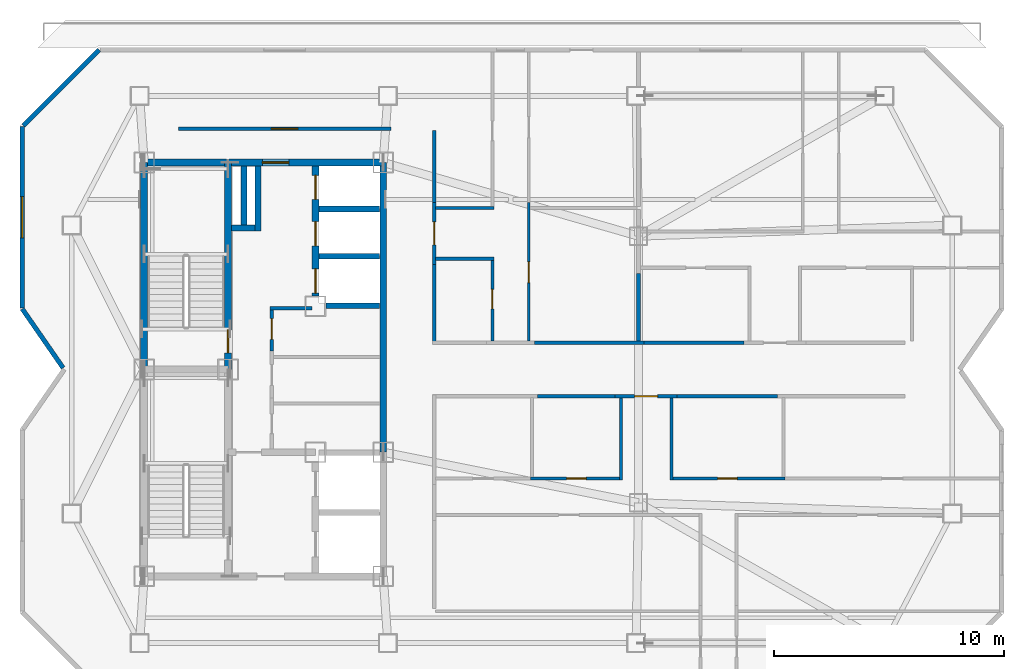
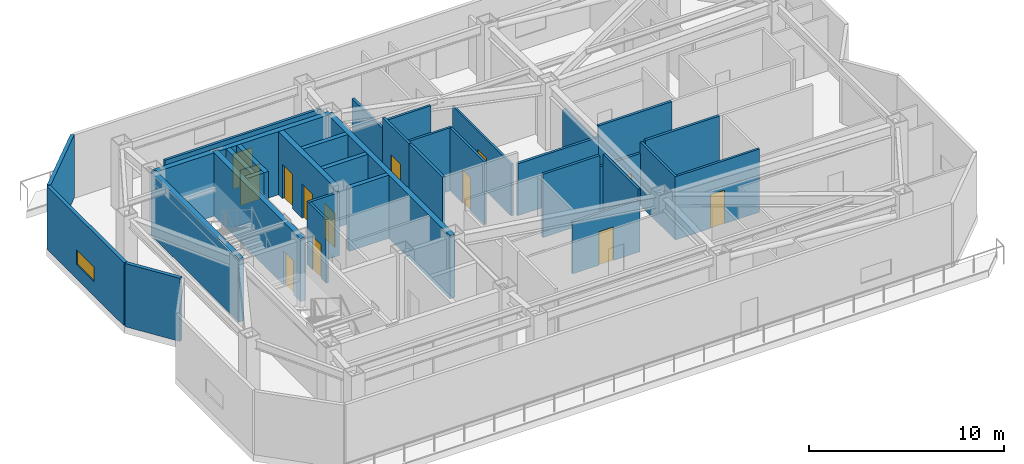
# One storey, part 5 of 11: 34 walls, 13 doors, 1 window, 14 openings.
"""IFC4 building model written with IfcOpenShell, lengths in metres."""

from ifc_helpers import new_model, si_unit, direction, frame, frame_2d, origin, place, context, subcontext, project, spatial, rectangle, extrude, material, layer, layer_set, type_object, element, fill, save


model = new_model("IFC4")

# Units and contexts
model_context = context("Model", 3, precision=1e-05, world=origin(), true_north=direction((0.0, 1.0)))
body_context = subcontext(model_context, "Body", "Model", "MODEL_VIEW")
ifc_project = project(units=[si_unit("LENGTHUNIT", "METRE"), si_unit("AREAUNIT", "SQUARE_METRE"), si_unit("VOLUMEUNIT", "CUBIC_METRE"), si_unit("PLANEANGLEUNIT", "RADIAN"), si_unit("MASSUNIT", "GRAM", prefix="KILO")], contexts=[model_context])

# Site, building, storey
site_placement = place(None, origin())
site = spatial("IfcSite", under=ifc_project, at=site_placement, CompositionType="ELEMENT")
building_placement = place(site_placement, origin())
building = spatial("IfcBuilding", under=site, at=building_placement, Name="Khamvora Tower", CompositionType="ELEMENT")
storey_placement = place(building_placement, frame((0.0, 0.0, 277.85009765625)))
storey = spatial("IfcBuildingStorey", under=building, at=storey_placement, Name="L71", CompositionType="ELEMENT", Elevation=277.85009765625)

# Wall
ifc_material_1 = material(Name="Concrete C50/60", Category="concrete")
ifc_layer_1 = layer(ifc_material_1, 0.300048828125)
ifc_layer_set_1 = layer_set([ifc_layer_1], Name="Concrete C50/60")
wall_type_1 = type_object("IfcWallType", Name="WAL-CORE-300", PredefinedType="SHEAR", material=ifc_layer_set_1)
wall_1_placement = place(storey_placement, frame((29.0, 28.0, 0.0), z_axis=(0.0, 0.0, 1.0), x_axis=(0.0, 1.0, 0.0)))
element("IfcWall", 1, at=wall_1_placement, inside=storey, type_object=wall_type_1, Name="L71 central core west north wall", PredefinedType="SHEAR", context=body_context, shape_type="SweptSolid", body=[
    extrude(rectangle(XDim=9.0, YDim=0.300048828125, at=frame_2d((4.5, 0.0))), origin(), (0.0, 0.0, 1.0), 3.949951171875),
])

# Wall, opening, door
wall_2_placement = place(storey_placement, frame((29.0, 37.0, 0.0), z_axis=(0.0, 0.0, 1.0), x_axis=(1.0, 0.0, 0.0)))
wall_2 = element("IfcWall", 2, at=wall_2_placement, inside=storey, type_object=wall_type_1, Name="L71 central core north wall", PredefinedType="SHEAR", context=body_context, shape_type="SweptSolid", body=[
    extrude(rectangle(XDim=10.39990234375, YDim=0.300048828125, at=frame_2d((5.199951171875, 0.0))), origin(), (0.0, 0.0, 1.0), 3.949951171875),
])
opening_1_placement = place(wall_2_placement, frame((5.139892578125, 0.0, 0.0)))
opening_1 = element("IfcOpeningElement", 3, at=opening_1_placement, cuts=wall_2, Name="Opening D-SC1", PredefinedType="OPENING", context=body_context, shape_type="SweptSolid", body=[
    extrude(rectangle(XDim=1.14990234375, YDim=2.199951171875, at=frame_2d((0.574951171875, 1.10009765625))), frame((0.0, 0.159912109375, 0.0), z_axis=(0.0, -1.0, 0.0), x_axis=(1.0, 0.0, 0.0)), (0.0, 0.0, 1.0), 0.320068359375),
])
ifc_material_2 = material(Name="Powder-Coated Steel and Hardwood Leaf", Category="steel")
door_type_1 = type_object("IfcDoorType", Name="DOR-SCHL-1150", OperationType="NOTDEFINED", PredefinedType="DOOR", material=ifc_material_2)
door_1_placement = place(opening_1_placement, origin())
door_1 = element("IfcDoor", 4, at=door_1_placement, inside=storey, type_object=door_type_1, Name="L71 north core lobby to corridor fire door", OperationType="SINGLE_SWING_LEFT", OverallHeight=2.199951171875, OverallWidth=1.14990234375, PredefinedType="DOOR", context=body_context, shape_type="SweptSolid", body=[
    extrude(rectangle(XDim=1.14990234375, YDim=2.199951171875, at=frame_2d((0.574951171875, 1.10009765625))), frame((0.0, 0.02490234375, 0.0), z_axis=(0.0, -1.0, 0.0), x_axis=(1.0, 0.0, 0.0)), (0.0, 0.0, 1.0), 0.050048828125),
])
fill(opening_1, door_1)

# Wall
wall_3_placement = place(storey_placement, frame((39.39990234375, 24.39990234375, 0.0), z_axis=(0.0, 0.0, 1.0), x_axis=(0.0, 1.0, 0.0)))
element("IfcWall", 5, at=wall_3_placement, inside=storey, type_object=wall_type_1, Name="L71 central core east north wall", PredefinedType="SHEAR", context=body_context, shape_type="SweptSolid", body=[
    extrude(rectangle(XDim=12.60009765625, YDim=0.300048828125, at=frame_2d((6.300048828125, 0.0))), origin(), (0.0, 0.0, 1.0), 3.949951171875),
])

# Wall, opening, door
wall_4_placement = place(storey_placement, frame((32.64990234375, 28.0, 0.0), z_axis=(0.0, 0.0, 1.0), x_axis=(0.0, 1.0, 0.0)))
wall_4 = element("IfcWall", 6, at=wall_4_placement, inside=storey, type_object=wall_type_1, Name="L71 central core stair north spine wall", PredefinedType="SHEAR", context=body_context, shape_type="SweptSolid", body=[
    extrude(rectangle(XDim=9.0, YDim=0.300048828125, at=frame_2d((4.5, 0.0))), origin(), (0.0, 0.0, 1.0), 3.949951171875),
])
opening_2_placement = place(wall_4_placement, frame((0.719970703125, 0.0, 0.0)))
opening_2 = element("IfcOpeningElement", 7, at=opening_2_placement, cuts=wall_4, Name="Opening D-ST1", PredefinedType="OPENING", context=body_context, shape_type="SweptSolid", body=[
    extrude(rectangle(XDim=1.0, YDim=2.14990234375, at=frame_2d((0.5, 1.074951171875))), frame((0.0, 0.159912109375, 0.0), z_axis=(0.0, -1.0, 0.0), x_axis=(1.0, 0.0, 0.0)), (0.0, 0.0, 1.0), 0.320068359375),
])
door_type_2 = type_object("IfcDoorType", Name="DOR-STAIR-1000", OperationType="NOTDEFINED", PredefinedType="DOOR", material=ifc_material_2)
door_2_placement = place(opening_2_placement, origin())
door_2 = element("IfcDoor", 8, at=door_2_placement, inside=storey, type_object=door_type_2, Name="L71 exit stair ST-02 fire door", OperationType="SINGLE_SWING_RIGHT", OverallHeight=2.14990234375, OverallWidth=1.0, PredefinedType="DOOR", context=body_context, shape_type="SweptSolid", body=[
    extrude(rectangle(XDim=1.0, YDim=2.14990234375, at=frame_2d((0.5, 1.074951171875))), frame((0.0, 0.02490234375, 0.0), z_axis=(0.0, -1.0, 0.0), x_axis=(1.0, 0.0, 0.0)), (0.0, 0.0, 1.0), 0.050048828125),
])
fill(opening_2, door_2)

# Wall, openings, doors
wall_5_placement = place(storey_placement, frame((36.449951171875, 31.199951171875, 0.0), z_axis=(0.0, 0.0, 1.0), x_axis=(0.0, 1.0, 0.0)))
wall_5 = element("IfcWall", 9, at=wall_5_placement, inside=storey, type_object=wall_type_1, Name="L71 central core lift bank central wall", PredefinedType="SHEAR", context=body_context, shape_type="SweptSolid", body=[
    extrude(rectangle(XDim=5.64599609375, YDim=0.300048828125, at=frame_2d((2.822998046875, 0.0))), origin(), (0.0, 0.0, 1.0), 3.949951171875),
])
opening_3_placement = place(wall_5_placement, frame((0.125, 0.0, 0.0)))
opening_3 = element("IfcOpeningElement", 10, at=opening_3_placement, cuts=wall_5, Name="Opening LD-PL", PredefinedType="OPENING", context=body_context, shape_type="SweptSolid", body=[
    extrude(rectangle(XDim=1.050048828125, YDim=2.14990234375, at=frame_2d((0.52490234375, 1.074951171875))), frame((0.0, 0.159912109375, 0.0), z_axis=(0.0, -1.0, 0.0), x_axis=(1.0, 0.0, 0.0)), (0.0, 0.0, 1.0), 0.320068359375),
])
opening_4_placement = place(wall_5_placement, frame((2.175048828125, 0.0, 0.0)))
opening_4 = element("IfcOpeningElement", 11, at=opening_4_placement, cuts=wall_5, Name="Opening LD-PL", PredefinedType="OPENING", context=body_context, shape_type="SweptSolid", body=[
    extrude(rectangle(XDim=1.050048828125, YDim=2.14990234375, at=frame_2d((0.52490234375, 1.074951171875))), frame((0.0, 0.159912109375, 0.0), z_axis=(0.0, -1.0, 0.0), x_axis=(1.0, 0.0, 0.0)), (0.0, 0.0, 1.0), 0.320068359375),
])
opening_5_placement = place(wall_5_placement, frame((4.195068359375, 0.0, 0.0)))
opening_5 = element("IfcOpeningElement", 12, at=opening_5_placement, cuts=wall_5, Name="Opening LD-PL", PredefinedType="OPENING", context=body_context, shape_type="SweptSolid", body=[
    extrude(rectangle(XDim=1.050048828125, YDim=2.14990234375, at=frame_2d((0.52490234375, 1.074951171875))), frame((0.0, 0.159912109375, 0.0), z_axis=(0.0, -1.0, 0.0), x_axis=(1.0, 0.0, 0.0)), (0.0, 0.0, 1.0), 0.320068359375),
])
door_type_3 = type_object("IfcDoorType", Name="DOR-LIFT-1050", OperationType="SLIDING_TO_LEFT", PredefinedType="DOOR", material=ifc_material_2)
door_3_placement = place(opening_3_placement, origin())
door_3 = element("IfcDoor", 13, at=door_3_placement, inside=storey, type_object=door_type_3, Name="L71 lift landing sliding door PH-01", OperationType="SLIDING_TO_LEFT", OverallHeight=2.14990234375, OverallWidth=1.050048828125, PredefinedType="DOOR", context=body_context, shape_type="SweptSolid", body=[
    extrude(rectangle(XDim=1.050048828125, YDim=2.14990234375, at=frame_2d((0.52490234375, 1.074951171875))), frame((0.0, 0.02490234375, 0.0), z_axis=(0.0, -1.0, 0.0), x_axis=(1.0, 0.0, 0.0)), (0.0, 0.0, 1.0), 0.050048828125),
])
fill(opening_3, door_3)
door_4_placement = place(opening_4_placement, origin())
door_4 = element("IfcDoor", 14, at=door_4_placement, inside=storey, type_object=door_type_3, Name="L71 lift landing sliding door PH-02", OperationType="SLIDING_TO_LEFT", OverallHeight=2.14990234375, OverallWidth=1.050048828125, PredefinedType="DOOR", context=body_context, shape_type="SweptSolid", body=[
    extrude(rectangle(XDim=1.050048828125, YDim=2.14990234375, at=frame_2d((0.52490234375, 1.074951171875))), frame((0.0, 0.02490234375, 0.0), z_axis=(0.0, -1.0, 0.0), x_axis=(1.0, 0.0, 0.0)), (0.0, 0.0, 1.0), 0.050048828125),
])
fill(opening_4, door_4)
door_5_placement = place(opening_5_placement, origin())
door_5 = element("IfcDoor", 15, at=door_5_placement, inside=storey, type_object=door_type_3, Name="L71 lift landing sliding door PH-03", OperationType="SLIDING_TO_LEFT", OverallHeight=2.14990234375, OverallWidth=1.050048828125, PredefinedType="DOOR", context=body_context, shape_type="SweptSolid", body=[
    extrude(rectangle(XDim=1.050048828125, YDim=2.14990234375, at=frame_2d((0.52490234375, 1.074951171875))), frame((0.0, 0.02490234375, 0.0), z_axis=(0.0, -1.0, 0.0), x_axis=(1.0, 0.0, 0.0)), (0.0, 0.0, 1.0), 0.050048828125),
])
fill(opening_5, door_5)

# Wall
ifc_material_3 = material(Name="Fire-Rated Drywall and Steel Stud", Category="steel")
ifc_layer_2 = layer(ifc_material_3, 0.14990234375)
ifc_layer_set_2 = layer_set([ifc_layer_2], Name="Fire-Rated Drywall and Steel Stud")
wall_type_2 = type_object("IfcWallType", Name="WAL-CORR-150", PredefinedType="STANDARD", material=ifc_layer_set_2)
wall_6_placement = place(storey_placement, frame((36.300048828125, 30.6650390625, 0.0), z_axis=(0.0, 0.0, 1.0), x_axis=(-1.0, 0.0, 0.0)))
element("IfcWall", 16, at=wall_6_placement, inside=storey, type_object=wall_type_2, Name="L71 interior partition wall 003", PredefinedType="STANDARD", context=body_context, shape_type="SweptSolid", body=[
    extrude(rectangle(XDim=1.820068359375, YDim=0.14990234375, at=frame_2d((0.91015625, 0.0))), origin(), (0.0, 0.0, 1.0), 3.949951171875),
])

# Wall, opening, door
wall_7_placement = place(storey_placement, frame((34.544921875, 30.72998046875, 0.0), z_axis=(0.0, 0.0, 1.0), x_axis=(0.0, -1.0, 0.0)))
wall_7 = element("IfcWall", 17, at=wall_7_placement, inside=storey, type_object=wall_type_2, Name="L71 interior partition wall 004", PredefinedType="STANDARD", context=body_context, shape_type="SweptSolid", body=[
    extrude(rectangle(XDim=1.93603515625, YDim=0.14990234375, at=frame_2d((0.968017578125, 0.0))), origin(), (0.0, 0.0, 1.0), 3.949951171875),
])
opening_6_placement = place(wall_7_placement, frame((0.51806640625, 0.0, 0.0)))
opening_6 = element("IfcOpeningElement", 18, at=opening_6_placement, cuts=wall_7, Name="Opening D-RM1", PredefinedType="OPENING", context=body_context, shape_type="SweptSolid", body=[
    extrude(rectangle(XDim=0.89990234375, YDim=2.10009765625, at=frame_2d((0.449951171875, 1.050048828125))), frame((0.0, 0.0849609375, 0.0), z_axis=(0.0, -1.0, 0.0), x_axis=(1.0, 0.0, 0.0)), (0.0, 0.0, 1.0), 0.169921875),
])
door_type_4 = type_object("IfcDoorType", Name="DOR-ROOM-900", OperationType="NOTDEFINED", PredefinedType="DOOR", material=ifc_material_2)
door_6_placement = place(opening_6_placement, origin())
door_6 = element("IfcDoor", 19, at=door_6_placement, inside=storey, type_object=door_type_4, Name="L71 interior door PHL-CS3", OperationType="SINGLE_SWING_RIGHT", OverallHeight=2.10009765625, OverallWidth=0.89990234375, PredefinedType="DOOR", context=body_context, shape_type="SweptSolid", body=[
    extrude(rectangle(XDim=0.89990234375, YDim=2.10009765625, at=frame_2d((0.449951171875, 1.050048828125))), frame((0.0, 0.02490234375, 0.0), z_axis=(0.0, -1.0, 0.0), x_axis=(1.0, 0.0, 0.0)), (0.0, 0.0, 1.0), 0.050048828125),
])
fill(opening_6, door_6)

wall_8_placement = place(storey_placement, frame((30.486083984375, 38.465087890625, 0.0), z_axis=(0.0, 0.0, 1.0), x_axis=(1.0, 0.0, 0.0)))
wall_8 = element("IfcWall", 20, at=wall_8_placement, inside=storey, type_object=wall_type_2, Name="L71 interior partition wall 007", PredefinedType="STANDARD", context=body_context, shape_type="SweptSolid", body=[
    extrude(rectangle(XDim=9.247802734375, YDim=0.14990234375, at=frame_2d((4.6240234375, 0.0))), origin(), (0.0, 0.0, 1.0), 3.244873046875),
])
opening_7_placement = place(wall_8_placement, frame((4.049072265625, 0.0, 0.0)))
opening_7 = element("IfcOpeningElement", 21, at=opening_7_placement, cuts=wall_8, Name="Opening D-SC1", PredefinedType="OPENING", context=body_context, shape_type="SweptSolid", body=[
    extrude(rectangle(XDim=1.14990234375, YDim=2.199951171875, at=frame_2d((0.574951171875, 1.10009765625))), frame((0.0, 0.0849609375, 0.0), z_axis=(0.0, -1.0, 0.0), x_axis=(1.0, 0.0, 0.0)), (0.0, 0.0, 1.0), 0.169921875),
])
door_7_placement = place(opening_7_placement, origin())
door_7 = element("IfcDoor", 22, at=door_7_placement, inside=storey, type_object=door_type_1, Name="L71 interior door COR-CFIT", OperationType="SINGLE_SWING_LEFT", OverallHeight=2.199951171875, OverallWidth=1.14990234375, PredefinedType="DOOR", context=body_context, shape_type="SweptSolid", body=[
    extrude(rectangle(XDim=1.14990234375, YDim=2.199951171875, at=frame_2d((0.574951171875, 1.10009765625))), frame((0.0, 0.02490234375, 0.0), z_axis=(0.0, -1.0, 0.0), x_axis=(1.0, 0.0, 0.0)), (0.0, 0.0, 1.0), 0.050048828125),
])
fill(opening_7, door_7)

wall_9_placement = place(storey_placement, frame((52.18505859375, 26.8349609375, 0.0), z_axis=(0.0, 0.0, 1.0), x_axis=(-1.0, 0.0, 0.0)))
wall_9 = element("IfcWall", 23, at=wall_9_placement, inside=storey, type_object=wall_type_2, Name="L71 interior partition wall 011", PredefinedType="STANDARD", context=body_context, shape_type="SweptSolid", body=[
    extrude(rectangle(XDim=2.697998046875, YDim=0.14990234375, at=frame_2d((1.34912109375, 0.0))), origin(), (0.0, 0.0, 1.0), 3.244873046875),
])
opening_8_placement = place(wall_9_placement, frame((0.84912109375, 0.0, 0.0)))
opening_8 = element("IfcOpeningElement", 24, at=opening_8_placement, cuts=wall_9, Name="Opening D-U1", PredefinedType="OPENING", context=body_context, shape_type="SweptSolid", body=[
    extrude(rectangle(XDim=1.0, YDim=2.14990234375, at=frame_2d((0.5, 1.074951171875))), frame((0.0, 0.0849609375, 0.0), z_axis=(0.0, -1.0, 0.0), x_axis=(1.0, 0.0, 0.0)), (0.0, 0.0, 1.0), 0.169921875),
])
door_type_5 = type_object("IfcDoorType", Name="DOR-UNIT-1000", OperationType="NOTDEFINED", PredefinedType="DOOR", material=ifc_material_2)
door_8_placement = place(opening_8_placement, origin())
door_8 = element("IfcDoor", 25, at=door_8_placement, inside=storey, type_object=door_type_5, Name="L71 interior door COR-71BH", OperationType="SINGLE_SWING_RIGHT", OverallHeight=2.14990234375, OverallWidth=1.0, PredefinedType="DOOR", context=body_context, shape_type="SweptSolid", body=[
    extrude(rectangle(XDim=1.0, YDim=2.14990234375, at=frame_2d((0.5, 1.074951171875))), frame((0.0, 0.02490234375, 0.0), z_axis=(0.0, -1.0, 0.0), x_axis=(1.0, 0.0, 0.0)), (0.0, 0.0, 1.0), 0.050048828125),
])
fill(opening_8, door_8)

# Walls
wall_10_placement = place(storey_placement, frame((49.487060546875, 26.8349609375, 0.0), z_axis=(0.0, 0.0, 1.0), x_axis=(-1.0, 0.0, 0.0)))
element("IfcWall", 26, at=wall_10_placement, inside=storey, type_object=wall_type_2, Name="L71 interior partition wall 013", PredefinedType="STANDARD", context=body_context, shape_type="SweptSolid", body=[
    extrude(rectangle(XDim=3.366943359375, YDim=0.14990234375, at=frame_2d((1.68359375, 0.0))), origin(), (0.0, 0.0, 1.0), 3.949951171875),
])
wall_11_placement = place(storey_placement, frame((56.552001953125, 26.8349609375, 0.0), z_axis=(0.0, 0.0, 1.0), x_axis=(-1.0, 0.0, 0.0)))
element("IfcWall", 27, at=wall_11_placement, inside=storey, type_object=wall_type_2, Name="L71 interior partition wall 014", PredefinedType="STANDARD", context=body_context, shape_type="SweptSolid", body=[
    extrude(rectangle(XDim=4.366943359375, YDim=0.14990234375, at=frame_2d((2.18359375, 0.0))), origin(), (0.0, 0.0, 1.0), 3.949951171875),
])

# Wall, opening, door
wall_12_placement = place(storey_placement, frame((41.614990234375, 35.264892578125, 0.0), z_axis=(0.0, 0.0, 1.0), x_axis=(0.0, -1.0, 0.0)))
wall_12 = element("IfcWall", 28, at=wall_12_placement, inside=storey, type_object=wall_type_2, Name="L71 interior partition wall 017", PredefinedType="STANDARD", context=body_context, shape_type="SweptSolid", body=[
    extrude(rectangle(XDim=2.697998046875, YDim=0.14990234375, at=frame_2d((1.34912109375, 0.0))), origin(), (0.0, 0.0, 1.0), 3.949951171875),
])
opening_9_placement = place(wall_12_placement, frame((0.84912109375, 0.0, 0.0)))
opening_9 = element("IfcOpeningElement", 29, at=opening_9_placement, cuts=wall_12, Name="Opening D-U1", PredefinedType="OPENING", context=body_context, shape_type="SweptSolid", body=[
    extrude(rectangle(XDim=1.0, YDim=2.14990234375, at=frame_2d((0.5, 1.074951171875))), frame((0.0, 0.0849609375, 0.0), z_axis=(0.0, -1.0, 0.0), x_axis=(1.0, 0.0, 0.0)), (0.0, 0.0, 1.0), 0.169921875),
])
door_9_placement = place(opening_9_placement, origin())
door_9 = element("IfcDoor", 30, at=door_9_placement, inside=storey, type_object=door_type_5, Name="L71 interior door COR-71CH", OperationType="SINGLE_SWING_LEFT", OverallHeight=2.14990234375, OverallWidth=1.0, PredefinedType="DOOR", context=body_context, shape_type="SweptSolid", body=[
    extrude(rectangle(XDim=1.0, YDim=2.14990234375, at=frame_2d((0.5, 1.074951171875))), frame((0.0, 0.02490234375, 0.0), z_axis=(0.0, -1.0, 0.0), x_axis=(1.0, 0.0, 0.0)), (0.0, 0.0, 1.0), 0.050048828125),
])
fill(opening_9, door_9)

# Walls
wall_13_placement = place(storey_placement, frame((41.614990234375, 32.56689453125, 0.0), z_axis=(0.0, 0.0, 1.0), x_axis=(0.0, -1.0, 0.0)))
element("IfcWall", 31, at=wall_13_placement, inside=storey, type_object=wall_type_2, Name="L71 interior partition wall 019", PredefinedType="STANDARD", context=body_context, shape_type="SweptSolid", body=[
    extrude(rectangle(XDim=3.46484375, YDim=0.14990234375, at=frame_2d((1.732421875, 0.0))), origin(), (0.0, 0.0, 1.0), 3.949951171875),
])
wall_14_placement = place(storey_placement, frame((41.614990234375, 38.39990234375, 0.0), z_axis=(0.0, 0.0, 1.0), x_axis=(0.0, -1.0, 0.0)))
element("IfcWall", 32, at=wall_14_placement, inside=storey, type_object=wall_type_2, Name="L71 interior partition wall 020", PredefinedType="STANDARD", context=body_context, shape_type="SweptSolid", body=[
    extrude(rectangle(XDim=3.135009765625, YDim=0.14990234375, at=frame_2d((1.5673828125, 0.0))), origin(), (0.0, 0.0, 1.0), 3.244873046875),
])
wall_15_placement = place(storey_placement, frame((45.97412109375, 29.1650390625, 0.0), z_axis=(0.0, 0.0, 1.0), x_axis=(1.0, 0.0, 0.0)))
element("IfcWall", 33, at=wall_15_placement, inside=storey, type_object=wall_type_2, Name="L71 interior partition wall 021", PredefinedType="STANDARD", context=body_context, shape_type="SweptSolid", body=[
    extrude(rectangle(XDim=4.769775390625, YDim=0.14990234375, at=frame_2d((2.384765625, 0.0))), origin(), (0.0, 0.0, 1.0), 3.244873046875),
])
wall_16_placement = place(storey_placement, frame((50.743896484375, 29.1650390625, 0.0), z_axis=(0.0, 0.0, 1.0), x_axis=(1.0, 0.0, 0.0)))
element("IfcWall", 34, at=wall_16_placement, inside=storey, type_object=wall_type_2, Name="L71 interior partition wall 023", PredefinedType="STANDARD", context=body_context, shape_type="SweptSolid", body=[
    extrude(rectangle(XDim=4.338134765625, YDim=0.14990234375, at=frame_2d((2.1689453125, 0.0))), origin(), (0.0, 0.0, 1.0), 3.949951171875),
])
ifc_material_4 = material(Name="Acoustic Double-Stud Fire Wall", Category="gypsum")
ifc_layer_3 = layer(ifc_material_4, 0.179931640625)
ifc_layer_set_3 = layer_set([ifc_layer_3], Name="Acoustic Double-Stud Fire Wall")
wall_type_3 = type_object("IfcWallType", Name="WAL-CORR-180", PredefinedType="STANDARD", material=ifc_layer_set_3)
wall_17_placement = place(storey_placement, frame((50.4951171875, 32.178955078125, 0.0), z_axis=(0.0, 0.0, 1.0), x_axis=(0.0, -1.0, 0.0)))
element("IfcWall", 35, at=wall_17_placement, inside=storey, type_object=wall_type_3, Name="L71 interior partition wall 049", PredefinedType="STANDARD", context=body_context, shape_type="SweptSolid", body=[
    extrude(rectangle(XDim=2.948974609375, YDim=0.179931640625, at=frame_2d((1.474609375, 0.0))), origin(), (0.0, 0.0, 1.0), 3.244873046875),
])
ifc_material_5 = material(Name="Precast concrete C40/50", Category="concrete")
ifc_layer_4 = layer(ifc_material_5, 0.199951171875)
ifc_layer_set_4 = layer_set([ifc_layer_4], Name="Precast concrete C40/50")
wall_type_4 = type_object("IfcWallType", Name="WAL-EXT-200", PredefinedType="STANDARD", material=ifc_layer_set_4)
wall_18_placement = place(storey_placement, frame((25.47412109375, 28.069091796875, 0.0), z_axis=(0.0, 0.0, 1.0), x_axis=(-0.569311819154, 0.822121677473, 0.0)))
element("IfcWall", 36, at=wall_18_placement, inside=storey, type_object=wall_type_4, Name="L71 exterior facade wall 04.1", PredefinedType="STANDARD", context=body_context, shape_type="SweptSolid", body=[
    extrude(rectangle(XDim=3.116455078125, YDim=0.199951171875, at=frame_2d((1.55810546875, 0.0))), origin(), (0.0, 0.0, 1.0), 3.949951171875),
])

# Wall, opening, window
wall_19_placement = place(storey_placement, frame((23.699951171875, 30.679931640625, 0.0), z_axis=(0.0, 0.0, 1.0), x_axis=(0.0, 1.0, 0.0)))
wall_19 = element("IfcWall", 37, at=wall_19_placement, inside=storey, type_object=wall_type_4, Name="L71 exterior facade wall 05.1", PredefinedType="STANDARD", context=body_context, shape_type="SweptSolid", body=[
    extrude(rectangle(XDim=7.879150390625, YDim=0.199951171875, at=frame_2d((3.939453125, 0.0))), origin(), (0.0, 0.0, 1.0), 3.949951171875),
])
opening_10_placement = place(wall_19_placement, frame((3.0390625, 0.0, 0.89990234375)))
opening_10 = element("IfcOpeningElement", 38, at=opening_10_placement, cuts=wall_19, Name="Opening WN-09", PredefinedType="OPENING", context=body_context, shape_type="SweptSolid", body=[
    extrude(rectangle(XDim=1.800048828125, YDim=0.919921875, at=frame_2d((0.89990234375, 0.4599609375))), frame((0.0, 0.10986328125, 0.0), z_axis=(0.0, -1.0, 0.0), x_axis=(1.0, 0.0, 0.0)), (0.0, 0.0, 1.0), 0.219970703125),
])
ifc_material_6 = material(Name="Low-E Laminated Double Glazing", Category="glass")
window_type = type_object("IfcWindowType", Name="WIN-CLR-1800x920", PartitioningType="SINGLE_PANEL", PredefinedType="WINDOW", material=ifc_material_6)
window_placement = place(opening_10_placement, origin())
window = element("IfcWindow", 39, at=window_placement, inside=storey, type_object=window_type, Name="L71 vision window 05.1.01", OverallHeight=0.919921875, OverallWidth=1.800048828125, PartitioningType="SINGLE_PANEL", PredefinedType="WINDOW", context=body_context, shape_type="SweptSolid", body=[
    extrude(rectangle(XDim=1.800048828125, YDim=0.919921875, at=frame_2d((0.89990234375, 0.4599609375))), frame((0.0, 0.030029296875, 0.0), z_axis=(0.0, -1.0, 0.0), x_axis=(1.0, 0.0, 0.0)), (0.0, 0.0, 1.0), 0.06005859375),
])
fill(opening_10, window)

# Wall
wall_20_placement = place(storey_placement, frame((23.743896484375, 38.60302734375, 0.0), z_axis=(0.0, 0.0, 1.0), x_axis=(0.707132961115, 0.707080600289, 0.0)))
element("IfcWall", 40, at=wall_20_placement, inside=storey, type_object=wall_type_4, Name="L71 exterior facade wall 06.1", PredefinedType="STANDARD", context=body_context, shape_type="SweptSolid", body=[
    extrude(rectangle(XDim=4.66259765625, YDim=0.199951171875, at=frame_2d((2.331298828125, 0.0))), origin(), (0.0, 0.0, 1.0), 3.949951171875),
])

# Wall, opening, door
ifc_material_7 = material(Name="Gypsum Plasterboard Partition", Category="gypsum")
ifc_layer_5 = layer(ifc_material_7, 0.1201171875)
ifc_layer_set_5 = layer_set([ifc_layer_5], Name="Gypsum Plasterboard Partition")
wall_type_5 = type_object("IfcWallType", Name="WAL-PART-120", PredefinedType="PARTITIONING", material=ifc_layer_set_5)
wall_21_placement = place(storey_placement, frame((45.72509765625, 35.26806640625, 0.0), z_axis=(0.0, 0.0, 1.0), x_axis=(0.0, -1.0, 0.0)))
wall_21 = element("IfcWall", 41, at=wall_21_placement, inside=storey, type_object=wall_type_5, Name="L71 interior partition wall 045", PredefinedType="PARTITIONING", context=body_context, shape_type="SweptSolid", body=[
    extrude(rectangle(XDim=6.0380859375, YDim=0.1201171875, at=frame_2d((3.01904296875, 0.0))), origin(), (0.0, 0.0, 1.0), 3.244873046875),
])
opening_11_placement = place(wall_21_placement, frame((2.590087890625, 0.0, 0.0)))
opening_11 = element("IfcOpeningElement", 42, at=opening_11_placement, cuts=wall_21, Name="Opening D-RM1", PredefinedType="OPENING", context=body_context, shape_type="SweptSolid", body=[
    extrude(rectangle(XDim=0.89990234375, YDim=2.10009765625, at=frame_2d((0.449951171875, 1.050048828125))), frame((0.0, 0.070068359375, 0.0), z_axis=(0.0, -1.0, 0.0), x_axis=(1.0, 0.0, 0.0)), (0.0, 0.0, 1.0), 0.14013671875),
])
door_10_placement = place(opening_11_placement, origin())
door_10 = element("IfcDoor", 43, at=door_10_placement, inside=storey, type_object=door_type_4, Name="L71 interior door 71CH-71CL", OperationType="SINGLE_SWING_LEFT", OverallHeight=2.10009765625, OverallWidth=0.89990234375, PredefinedType="DOOR", context=body_context, shape_type="SweptSolid", body=[
    extrude(rectangle(XDim=0.89990234375, YDim=2.10009765625, at=frame_2d((0.449951171875, 1.050048828125))), frame((0.0, 0.02490234375, 0.0), z_axis=(0.0, -1.0, 0.0), x_axis=(1.0, 0.0, 0.0)), (0.0, 0.0, 1.0), 0.050048828125),
])
fill(opening_11, door_10)

# Walls
ifc_material_8 = material(Name="Concrete C40/50", Category="concrete")
ifc_layer_6 = layer(ifc_material_8, 0.25)
ifc_layer_set_6 = layer_set([ifc_layer_6], Name="Concrete C40/50")
wall_type_6 = type_object("IfcWallType", Name="WAL-PODS-250", PredefinedType="SHEAR", material=ifc_layer_set_6)
wall_22_placement = place(storey_placement, frame((36.904052734375, 30.77490234375, 0.0), z_axis=(0.0, 0.0, 1.0), x_axis=(1.0, 0.0, 0.0)))
element("IfcWall", 44, at=wall_22_placement, inside=storey, type_object=wall_type_6, Name="L71 high-rise lift shaft south enclosure wall PH-01", PredefinedType="SHEAR", context=body_context, shape_type="SweptSolid", body=[
    extrude(rectangle(XDim=2.342041015625, YDim=0.25, at=frame_2d((1.1708984375, 0.0))), origin(), (0.0, 0.0, 1.0), 3.949951171875),
])
for number, where, z_axis, x_axis, name in (
    (45, (36.60400390625, 32.925048828125, 0.0), (0.0, 0.0, 1.0), (1.0, 0.0, 0.0), "L71 lift shaft divider wall PH-01"),
    (46, (36.60400390625, 34.97509765625, 0.0), (0.0, 0.0, 1.0), (1.0, 0.0, 0.0), "L71 lift shaft divider wall PH-02"),
):
    element("IfcWall", number, at=place(storey_placement, frame(where, z_axis=z_axis, x_axis=x_axis)), inside=storey, type_object=wall_type_6, Name=name, PredefinedType="SHEAR", context=body_context, shape_type="SweptSolid", body=[
        extrude(rectangle(XDim=2.64208984375, YDim=0.25, at=frame_2d((1.321044921875, 0.0))), origin(), (0.0, 0.0, 1.0), 3.949951171875),
    ])
wall_23_placement = place(storey_placement, frame((33.955078125, 34.02490234375, 0.0), z_axis=(0.0, 0.0, 1.0), x_axis=(0.0, 1.0, 0.0)))
element("IfcWall", 47, at=wall_23_placement, inside=storey, type_object=wall_type_6, Name="L71 vertical MEP riser shaft east enclosure wall", PredefinedType="SHEAR", context=body_context, shape_type="SweptSolid", body=[
    extrude(rectangle(XDim=2.821044921875, YDim=0.25, at=frame_2d((1.41064453125, 0.0))), origin(), (0.0, 0.0, 1.0), 3.949951171875),
])
wall_24_placement = place(storey_placement, frame((32.803955078125, 34.14990234375, 0.0), z_axis=(0.0, 0.0, 1.0), x_axis=(1.0, 0.0, 0.0)))
element("IfcWall", 48, at=wall_24_placement, inside=storey, type_object=wall_type_6, Name="L71 vertical MEP riser shaft south enclosure wall", PredefinedType="SHEAR", context=body_context, shape_type="SweptSolid", body=[
    extrude(rectangle(XDim=1.02197265625, YDim=0.25, at=frame_2d((0.510986328125, 0.0))), origin(), (0.0, 0.0, 1.0), 3.949951171875),
])
wall_25_placement = place(storey_placement, frame((33.340087890625, 34.279052734375, 0.0), z_axis=(0.0, 0.0, 1.0), x_axis=(0.0, 1.0, 0.0)))
element("IfcWall", 49, at=wall_25_placement, inside=storey, type_object=wall_type_6, Name="L71 vertical MEP riser shaft divider enclosure wall", PredefinedType="SHEAR", context=body_context, shape_type="SweptSolid", body=[
    extrude(rectangle(XDim=2.56689453125, YDim=0.25, at=frame_2d((1.283447265625, 0.0))), origin(), (0.0, 0.0, 1.0), 3.949951171875),
])

# Wall, opening, door
ifc_material_9 = material(Name="Moisture-Resistant Plasterboard Partition", Category="gypsum")
ifc_layer_7 = layer(ifc_material_9, 0.135009765625)
ifc_layer_set_7 = layer_set([ifc_layer_7], Name="Moisture-Resistant Plasterboard Partition")
wall_type_7 = type_object("IfcWallType", Name="WAL-WET-135", PredefinedType="PARTITIONING", material=ifc_layer_set_7)
wall_26_placement = place(storey_placement, frame((45.805908203125, 23.2548828125, 0.0), z_axis=(0.0, 0.0, 1.0), x_axis=(1.0, 0.0, 0.0)))
wall_26 = element("IfcWall", 50, at=wall_26_placement, inside=storey, type_object=wall_type_7, Name="L71 interior partition wall 029", PredefinedType="PARTITIONING", context=body_context, shape_type="SweptSolid", body=[
    extrude(rectangle(XDim=3.9951171875, YDim=0.135009765625, at=frame_2d((1.99755859375, 0.0))), origin(), (0.0, 0.0, 1.0), 3.244873046875),
])
opening_12_placement = place(wall_26_placement, frame((1.572998046875, 0.0, 0.0)))
opening_12 = element("IfcOpeningElement", 51, at=opening_12_placement, cuts=wall_26, Name="Opening D-WC1", PredefinedType="OPENING", context=body_context, shape_type="SweptSolid", body=[
    extrude(rectangle(XDim=0.85009765625, YDim=2.10009765625, at=frame_2d((0.425048828125, 1.050048828125))), frame((0.0, 0.077392578125, 0.0), z_axis=(0.0, -1.0, 0.0), x_axis=(1.0, 0.0, 0.0)), (0.0, 0.0, 1.0), 0.155029296875),
])
door_type_6 = type_object("IfcDoorType", Name="DOR-WET-850", OperationType="NOTDEFINED", PredefinedType="DOOR", material=ifc_material_2)
door_11_placement = place(opening_12_placement, origin())
door_11 = element("IfcDoor", 52, at=door_11_placement, inside=storey, type_object=door_type_6, Name="L71 interior door 71BH-71BB", OperationType="SINGLE_SWING_LEFT", OverallHeight=2.10009765625, OverallWidth=0.85009765625, PredefinedType="DOOR", context=body_context, shape_type="SweptSolid", body=[
    extrude(rectangle(XDim=0.85009765625, YDim=2.10009765625, at=frame_2d((0.425048828125, 1.050048828125))), frame((0.0, 0.02490234375, 0.0), z_axis=(0.0, -1.0, 0.0), x_axis=(1.0, 0.0, 0.0)), (0.0, 0.0, 1.0), 0.050048828125),
])
fill(opening_12, door_11)

# Walls
for number, where, z_axis, x_axis, name in (
    (53, (49.736083984375, 23.18994140625, 0.0), (0.0, 0.0, 1.0), (0.0, 1.0, 0.0), "L71 interior partition wall 030"),
    (54, (51.93603515625, 26.77001953125, 0.0), (0.0, 0.0, 1.0), (0.0, -1.0, 0.0), "L71 interior partition wall 031"),
):
    element("IfcWall", number, at=place(storey_placement, frame(where, z_axis=z_axis, x_axis=x_axis)), inside=storey, type_object=wall_type_7, Name=name, PredefinedType="PARTITIONING", context=body_context, shape_type="SweptSolid", body=[
        extrude(rectangle(XDim=3.580078125, YDim=0.135009765625, at=frame_2d((1.7900390625, 0.0))), origin(), (0.0, 0.0, 1.0), 3.949951171875),
    ])

# Wall, opening, door
wall_27_placement = place(storey_placement, frame((51.87109375, 23.2548828125, 0.0), z_axis=(0.0, 0.0, 1.0), x_axis=(1.0, 0.0, 0.0)))
wall_27 = element("IfcWall", 55, at=wall_27_placement, inside=storey, type_object=wall_type_7, Name="L71 interior partition wall 032", PredefinedType="PARTITIONING", context=body_context, shape_type="SweptSolid", body=[
    extrude(rectangle(XDim=4.994873046875, YDim=0.135009765625, at=frame_2d((2.49755859375, 0.0))), origin(), (0.0, 0.0, 1.0), 3.949951171875),
])
opening_13_placement = place(wall_27_placement, frame((2.072998046875, 0.0, 0.0)))
opening_13 = element("IfcOpeningElement", 56, at=opening_13_placement, cuts=wall_27, Name="Opening D-RM2", PredefinedType="OPENING", context=body_context, shape_type="SweptSolid", body=[
    extrude(rectangle(XDim=0.85009765625, YDim=2.10009765625, at=frame_2d((0.425048828125, 1.050048828125))), frame((0.0, 0.077392578125, 0.0), z_axis=(0.0, -1.0, 0.0), x_axis=(1.0, 0.0, 0.0)), (0.0, 0.0, 1.0), 0.155029296875),
])
door_type_7 = type_object("IfcDoorType", Name="DOR-ROOM-850", OperationType="NOTDEFINED", PredefinedType="DOOR", material=ifc_material_2)
door_12_placement = place(opening_13_placement, origin())
door_12 = element("IfcDoor", 57, at=door_12_placement, inside=storey, type_object=door_type_7, Name="L71 interior door 71BH-71BK", OperationType="SINGLE_SWING_RIGHT", OverallHeight=2.10009765625, OverallWidth=0.85009765625, PredefinedType="DOOR", context=body_context, shape_type="SweptSolid", body=[
    extrude(rectangle(XDim=0.85009765625, YDim=2.10009765625, at=frame_2d((0.425048828125, 1.050048828125))), frame((0.0, 0.02490234375, 0.0), z_axis=(0.0, -1.0, 0.0), x_axis=(1.0, 0.0, 0.0)), (0.0, 0.0, 1.0), 0.050048828125),
])
fill(opening_13, door_12)

wall_28_placement = place(storey_placement, frame((44.14501953125, 29.22998046875, 0.0), z_axis=(0.0, 0.0, 1.0), x_axis=(0.0, 1.0, 0.0)))
wall_28 = element("IfcWall", 58, at=wall_28_placement, inside=storey, type_object=wall_type_7, Name="L71 interior partition wall 041", PredefinedType="PARTITIONING", context=body_context, shape_type="SweptSolid", body=[
    extrude(rectangle(XDim=3.651123046875, YDim=0.135009765625, at=frame_2d((1.82568359375, 0.0))), origin(), (0.0, 0.0, 1.0), 3.949951171875),
])
opening_14_placement = place(wall_28_placement, frame((1.39990234375, 0.0, 0.0)))
opening_14 = element("IfcOpeningElement", 59, at=opening_14_placement, cuts=wall_28, Name="Opening D-WC1", PredefinedType="OPENING", context=body_context, shape_type="SweptSolid", body=[
    extrude(rectangle(XDim=0.85009765625, YDim=2.10009765625, at=frame_2d((0.425048828125, 1.050048828125))), frame((0.0, 0.077392578125, 0.0), z_axis=(0.0, -1.0, 0.0), x_axis=(1.0, 0.0, 0.0)), (0.0, 0.0, 1.0), 0.155029296875),
])
door_13_placement = place(opening_14_placement, origin())
door_13 = element("IfcDoor", 60, at=door_13_placement, inside=storey, type_object=door_type_6, Name="L71 interior door 71CH-71CB", OperationType="SINGLE_SWING_LEFT", OverallHeight=2.10009765625, OverallWidth=0.85009765625, PredefinedType="DOOR", context=body_context, shape_type="SweptSolid", body=[
    extrude(rectangle(XDim=0.85009765625, YDim=2.10009765625, at=frame_2d((0.425048828125, 1.050048828125))), frame((0.0, 0.02490234375, 0.0), z_axis=(0.0, -1.0, 0.0), x_axis=(1.0, 0.0, 0.0)), (0.0, 0.0, 1.0), 0.050048828125),
])
fill(opening_14, door_13)

# Walls
for number, where, z_axis, x_axis, name in (
    (61, (44.2099609375, 32.81591796875, 0.0), (0.0, 0.0, 1.0), (-1.0, 0.0, 0.0), "L71 interior partition wall 042"),
    (62, (41.681884765625, 35.01611328125, 0.0), (0.0, 0.0, 1.0), (1.0, 0.0, 0.0), "L71 interior partition wall 043"),
):
    element("IfcWall", number, at=place(storey_placement, frame(where, z_axis=z_axis, x_axis=x_axis)), inside=storey, type_object=wall_type_7, Name=name, PredefinedType="PARTITIONING", context=body_context, shape_type="SweptSolid", body=[
        extrude(rectangle(XDim=2.528076171875, YDim=0.135009765625, at=frame_2d((1.26416015625, 0.0))), origin(), (0.0, 0.0, 1.0), 3.949951171875),
    ])

save(model, "model.ifc")
